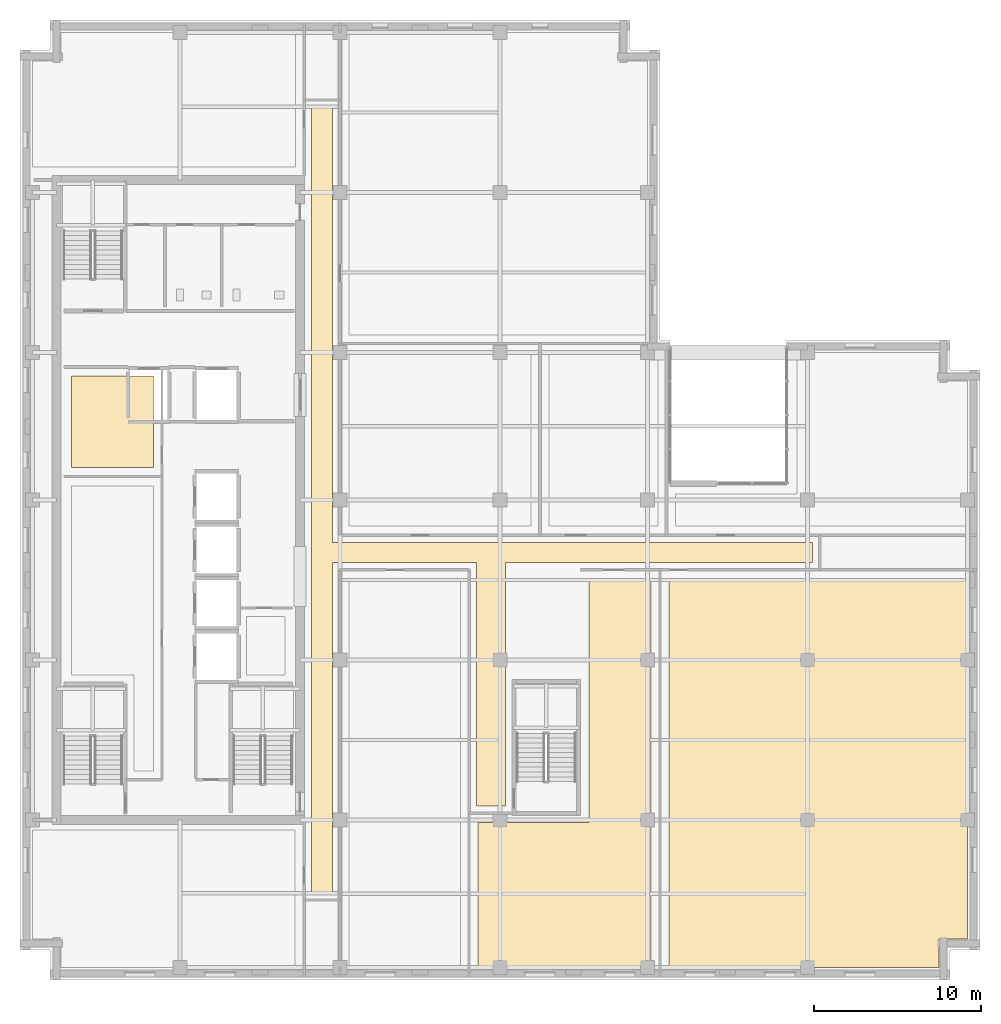
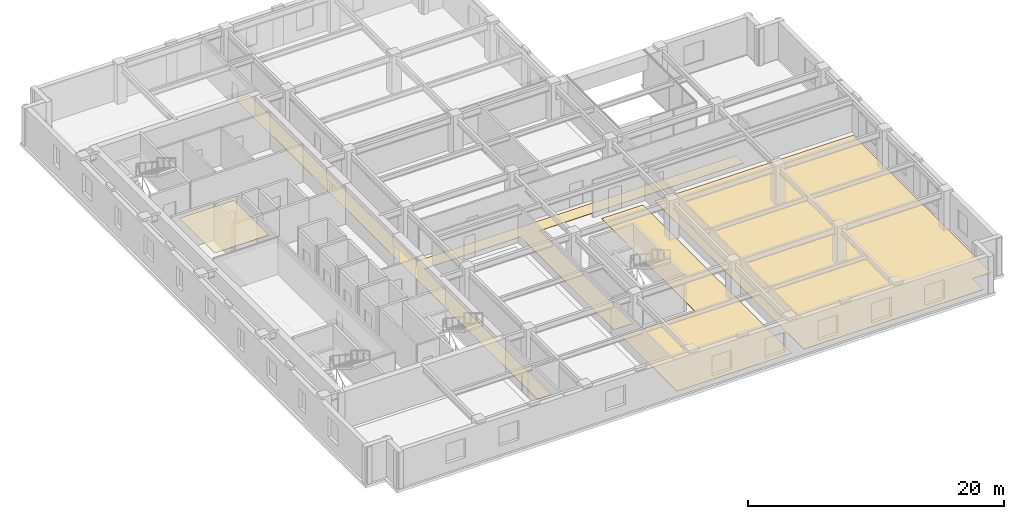
# One storey, part 9 of 12: 4 coverings.
"""IFC4 building model written with IfcOpenShell, lengths in metres."""

from ifc_helpers import new_model, si_unit, direction, frame, origin, place, context, subcontext, project, spatial, polyline, outline, extrude, material, layer, layer_set, type_object, element, save


model = new_model("IFC4")

# Units and contexts
model_context = context("Model", 3, precision=1e-05, world=origin(), true_north=direction((0.0, 1.0)))
body_context = subcontext(model_context, "Body", "Model", "MODEL_VIEW")
ifc_project = project(units=[si_unit("LENGTHUNIT", "METRE"), si_unit("AREAUNIT", "SQUARE_METRE"), si_unit("VOLUMEUNIT", "CUBIC_METRE"), si_unit("PLANEANGLEUNIT", "RADIAN"), si_unit("MASSUNIT", "GRAM", prefix="KILO")], contexts=[model_context])

# Site, building, storey
site_placement = place(None, origin())
site = spatial("IfcSite", under=ifc_project, at=site_placement, CompositionType="ELEMENT")
building_placement = place(site_placement, origin())
building = spatial("IfcBuilding", under=site, at=building_placement, Name="Norrvale University Quadrangle", CompositionType="ELEMENT")
storey_placement = place(building_placement, frame((0.0, 0.0, 225.60009765625)))
storey = spatial("IfcBuildingStorey", under=building, at=storey_placement, Name="L57", CompositionType="ELEMENT", Elevation=225.60009765625)

# Coverings
ifc_material_1 = material(Name="Perforated Acoustic Mineral Ceiling")
ifc_layer_1 = layer(ifc_material_1, 0.02490234375, Name="Perforated Acoustic Mineral Ceiling")
ifc_layer_set_1 = layer_set([ifc_layer_1], Name="Perforated Acoustic Mineral Ceiling")
covering_type_1 = type_object("IfcCoveringType", Name="Covering Acoustic Ceiling 25", PredefinedType="CEILING", material=ifc_layer_set_1)
covering_1_placement = place(storey_placement, frame((0.0, 0.0, 3.514892578125)))
element("IfcCovering", 1, at=covering_1_placement, inside=storey, type_object=covering_type_1, Name="Acoustic Ceiling RM-L57-REC2", PredefinedType="CEILING", context=body_context, shape_type="SweptSolid", body=[
    extrude(outline(polyline([(3.10009765625, 30.75), (3.10009765625, 36.25), (8.0, 36.25), (8.0, 30.75), (3.10009765625, 30.75)])), origin(), (0.0, 0.0, 1.0), 0.02490234375),
])
ifc_material_2 = material(Name="Polished Terrazzo Flooring")
ifc_layer_2 = layer(ifc_material_2, 0.02490234375, Name="Polished Terrazzo Flooring")
ifc_layer_set_2 = layer_set([ifc_layer_2], Name="Polished Terrazzo Flooring")
covering_type_2 = type_object("IfcCoveringType", Name="Covering Terrazzo Floor 30", PredefinedType="FLOORING", material=ifc_layer_set_2)
covering_2_placement = place(storey_placement, origin())
element("IfcCovering", 2, at=covering_2_placement, inside=storey, type_object=covering_type_2, Name="Terrazzo Flooring RM-L57-CORR1", PredefinedType="FLOORING", context=body_context, shape_type="SweptSolid", body=[
    extrude(outline(polyline([(17.5, 5.25), (17.5, 52.35009765625), (18.75, 52.35009765625), (18.75, 26.25), (47.550048828125, 26.25), (47.550048828125, 25.050048828125), (29.1298828125, 25.050048828125), (29.1298828125, 10.449951171875), (27.39990234375, 10.449951171875), (27.39990234375, 25.050048828125), (18.75, 25.050048828125), (18.75, 5.25), (17.5, 5.25)])), origin(), (0.0, 0.0, 1.0), 0.02490234375),
])
covering_3_placement = place(storey_placement, origin())
element("IfcCovering", 3, at=covering_3_placement, inside=storey, type_object=covering_type_2, Name="Terrazzo Flooring RM-L57-SE2", PredefinedType="FLOORING", context=body_context, shape_type="SweptSolid", body=[
    extrude(outline(polyline([(34.14990234375, 9.449951171875), (34.14990234375, 24.070068359375), (37.8701171875, 24.070068359375), (37.8701171875, 0.75), (27.47998046875, 0.75), (27.47998046875, 9.449951171875), (34.14990234375, 9.449951171875)])), origin(), (0.0, 0.0, 1.0), 0.02490234375),
])
covering_4_placement = place(storey_placement, origin())
element("IfcCovering", 4, at=covering_4_placement, inside=storey, type_object=covering_type_2, Name="Terrazzo Flooring RM-L57-SE3", PredefinedType="FLOORING", context=body_context, shape_type="SweptSolid", body=[
    extrude(outline(polyline([(38.929931640625, 24.070068359375), (56.85009765625, 24.070068359375), (56.85009765625, 2.469970703125), (55.1298828125, 2.469970703125), (55.1298828125, 0.75), (38.929931640625, 0.75), (38.929931640625, 24.070068359375)])), origin(), (0.0, 0.0, 1.0), 0.02490234375),
])

save(model, "model.ifc")
